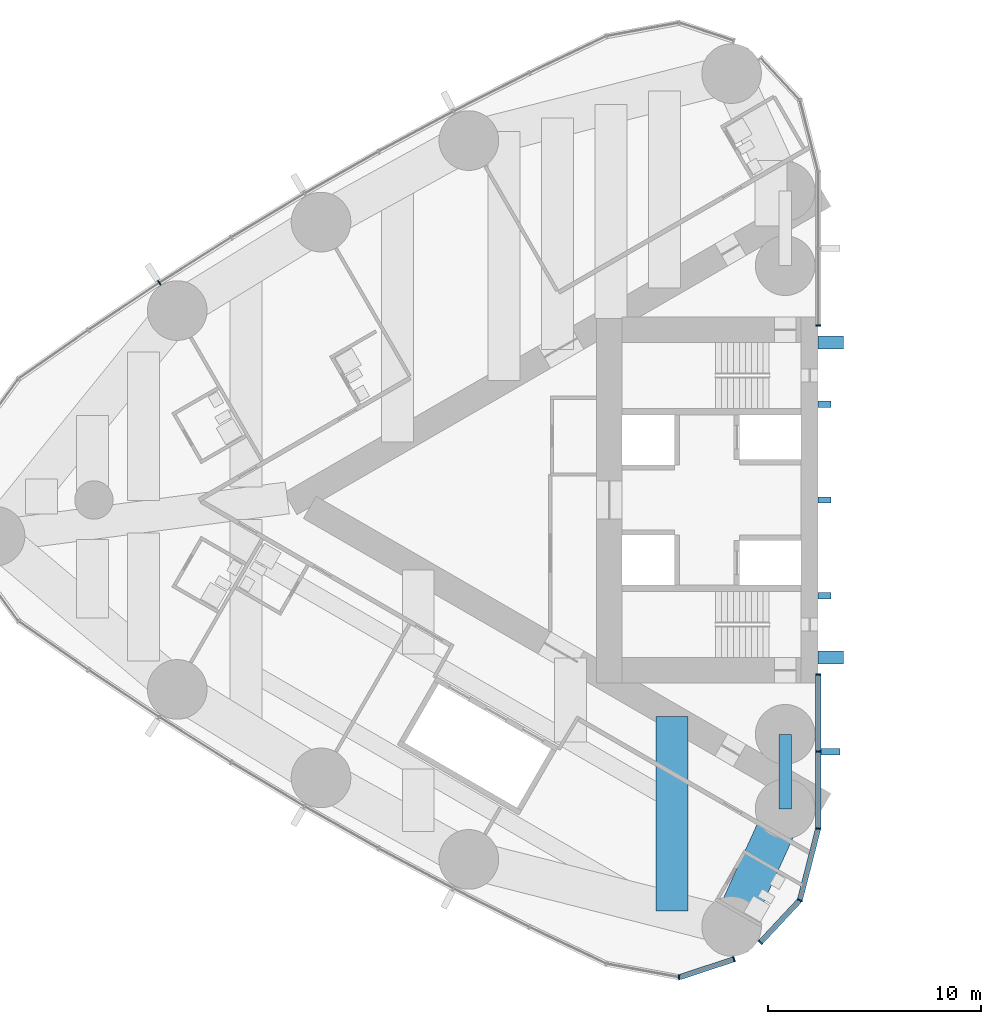
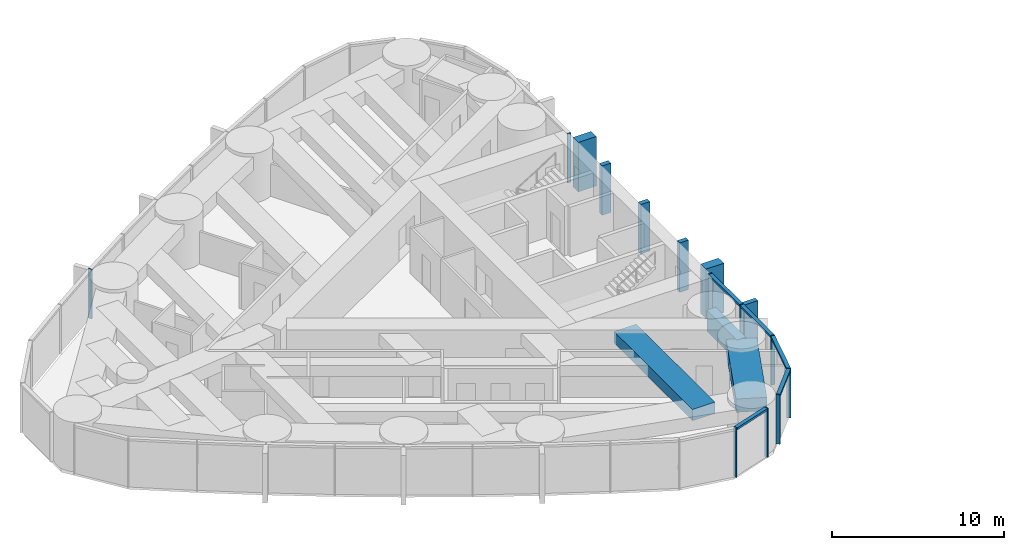
# One storey, part 4 of 18: 20 members, 3 beams, 4 elements without a shape of their own.
"""IFC4 building model written with IfcOpenShell, lengths in metres."""

from ifc_helpers import new_model, si_unit, direction, frame, origin, origin_2d, place, context, subcontext, project, spatial, rectangle, hollow_rectangle, extrude, material, material_profile, profile_set, type_object, element, aggregate, save


model = new_model("IFC4")

# Units and contexts
model_context = context("Model", 3, precision=1e-05, world=origin(), true_north=direction((0.0, 1.0)))
body_context = subcontext(model_context, "Body", "Model", "MODEL_VIEW")
ifc_project = project(units=[si_unit("LENGTHUNIT", "METRE"), si_unit("AREAUNIT", "SQUARE_METRE"), si_unit("VOLUMEUNIT", "CUBIC_METRE"), si_unit("PLANEANGLEUNIT", "RADIAN"), si_unit("MASSUNIT", "GRAM", prefix="KILO")], contexts=[model_context])

# Site, building, storey
site_placement = place(None, origin())
site = spatial("IfcSite", under=ifc_project, at=site_placement, CompositionType="ELEMENT")
building_placement = place(site_placement, origin())
building = spatial("IfcBuilding", under=site, at=building_placement, Name="Lancet Gate Hotel", CompositionType="ELEMENT")
storey_placement = place(building_placement, frame((0.0, 0.0, 180.800048828125)))
storey = spatial("IfcBuildingStorey", under=building, at=storey_placement, Name="L48", CompositionType="ELEMENT", Elevation=180.800048828125)

# Curtain wall, member
ifc_material_1 = material(Name="Aluminium curtain wall", Category="aluminium")
curtain_wall_type = type_object("IfcCurtainWallType", Name="Tower unitised curtain wall", PredefinedType="USERDEFINED", material=ifc_material_1)
curtain_wall_1_placement = place(storey_placement, origin())
curtain_wall_1 = element("IfcCurtainWall", 1, at=curtain_wall_1_placement, inside=storey, type_object=curtain_wall_type, Name="T1 L48 curtain wall 1", ObjectType="UNITISED CURTAIN WALL", PredefinedType="USERDEFINED")
ifc_material_2 = material(Name="Aluminium mullion", Category="aluminium")
ifc_material_profile_1 = material_profile(ifc_material_2, rectangle(XDim=0.06494140625, YDim=0.25, at=origin_2d()), Name="MULLION 65x250")
ifc_profile_set_1 = profile_set([ifc_material_profile_1], Name="Aluminium mullion")
member_type_1 = type_object("IfcMemberType", Name="Aluminium mullion 65x250", PredefinedType="MULLION", material=ifc_profile_set_1)
member_1_placement = place(storey_placement, frame((-27.5, 8.199951171875, 0.0), z_axis=(0.0, 0.0, 1.0), x_axis=(0.0, 1.0, 0.0)))
member_1 = element("IfcMember", 2, at=member_1_placement, type_object=member_type_1, Name="T1 L48 curtain wall 1 mullion 1", PredefinedType="MULLION", context=body_context, shape_type="SweptSolid", body=[
    extrude(rectangle(XDim=0.06494140625, YDim=0.25, at=origin_2d()), origin(), (0.0, 0.0, 1.0), 3.5),
])
aggregate(curtain_wall_1, [member_1])

curtain_wall_2_placement = place(storey_placement, origin())
curtain_wall_2 = element("IfcCurtainWall", 3, at=curtain_wall_2_placement, inside=storey, type_object=curtain_wall_type, Name="T1 L48 curtain wall 2", ObjectType="UNITISED CURTAIN WALL", PredefinedType="USERDEFINED")
member_2_placement = place(storey_placement, frame((-58.43212890625, 10.194091796875, 0.0), z_axis=(0.0, 0.0, 1.0), x_axis=(-0.839331119324, -0.54362052218, 0.0)))
member_2 = element("IfcMember", 4, at=member_2_placement, type_object=member_type_1, Name="T1 L48 curtain wall 2 mullion 9", PredefinedType="MULLION", context=body_context, shape_type="SweptSolid", body=[
    extrude(rectangle(XDim=0.06494140625, YDim=0.25, at=origin_2d()), origin(), (0.0, 0.0, 1.0), 3.5),
])
aggregate(curtain_wall_2, [member_2])

# Curtain wall, members
curtain_wall_3_placement = place(storey_placement, origin())
curtain_wall_3 = element("IfcCurtainWall", 5, at=curtain_wall_3_placement, inside=storey, type_object=curtain_wall_type, Name="T1 L48 curtain wall 3", ObjectType="UNITISED CURTAIN WALL", PredefinedType="USERDEFINED")
member_3_placement = place(storey_placement, frame((-34.02783203125, -22.407470703125, 0.0), z_axis=(0.0, 0.0, 1.0), x_axis=(0.999350473622, 0.036036521361, 0.0)))
member_3 = element("IfcMember", 6, at=member_3_placement, type_object=member_type_1, Name="T1 L48 curtain wall 3 mullion 11", PredefinedType="MULLION", context=body_context, shape_type="SweptSolid", body=[
    extrude(rectangle(XDim=0.06494140625, YDim=0.25, at=origin_2d()), origin(), (0.0, 0.0, 1.0), 3.5),
])
member_4_placement = place(storey_placement, frame((-31.45263671875, -21.5595703125, 0.0), z_axis=(0.0, 0.0, 1.0), x_axis=(0.949848055084, 0.312711803827, 0.0)))
member_4 = element("IfcMember", 7, at=member_4_placement, type_object=member_type_1, Name="T1 L48 curtain wall 3 mullion 12", PredefinedType="MULLION", context=body_context, shape_type="SweptSolid", body=[
    extrude(rectangle(XDim=0.06494140625, YDim=0.25, at=origin_2d()), origin(), (0.0, 0.0, 1.0), 3.5),
])

curtain_wall_4_placement = place(storey_placement, origin())
curtain_wall_4 = element("IfcCurtainWall", 8, at=curtain_wall_4_placement, inside=storey, type_object=curtain_wall_type, Name="T1 L48 curtain wall 4", ObjectType="UNITISED CURTAIN WALL", PredefinedType="USERDEFINED")
member_5_placement = place(storey_placement, frame((-30.210693359375, -20.765625, 0.0), z_axis=(0.0, 0.0, 1.0), x_axis=(0.682844962172, 0.730563315282, 0.0)))
member_5 = element("IfcMember", 9, at=member_5_placement, type_object=member_type_1, Name="T1 L48 curtain wall 4 mullion 1", PredefinedType="MULLION", context=body_context, shape_type="SweptSolid", body=[
    extrude(rectangle(XDim=0.06494140625, YDim=0.25, at=origin_2d()), origin(), (0.0, 0.0, 1.0), 3.5),
])
member_6_placement = place(storey_placement, frame((-28.360595703125, -18.7861328125, 0.0), z_axis=(0.0, 0.0, 1.0), x_axis=(0.452507601198, 0.891760545695, 0.0)))
member_6 = element("IfcMember", 10, at=member_6_placement, type_object=member_type_1, Name="T1 L48 curtain wall 4 mullion 2", PredefinedType="MULLION", context=body_context, shape_type="SweptSolid", body=[
    extrude(rectangle(XDim=0.06494140625, YDim=0.25, at=origin_2d()), origin(), (0.0, 0.0, 1.0), 3.5),
])
member_7_placement = place(storey_placement, frame((-27.5, -15.42333984375, 0.0), z_axis=(0.0, 0.0, 1.0), x_axis=(0.122467472845, 0.992472527627, 0.0)))
member_7 = element("IfcMember", 11, at=member_7_placement, type_object=member_type_1, Name="T1 L48 curtain wall 4 mullion 3", PredefinedType="MULLION", context=body_context, shape_type="SweptSolid", body=[
    extrude(rectangle(XDim=0.06494140625, YDim=0.25, at=origin_2d()), origin(), (0.0, 0.0, 1.0), 3.5),
])
member_8_placement = place(storey_placement, frame((-27.5, -11.811767578125, 0.0), z_axis=(0.0, 0.0, 1.0), x_axis=(0.0, 1.0, 0.0)))
member_8 = element("IfcMember", 12, at=member_8_placement, type_object=member_type_1, Name="T1 L48 curtain wall 4 mullion 4", PredefinedType="MULLION", context=body_context, shape_type="SweptSolid", body=[
    extrude(rectangle(XDim=0.06494140625, YDim=0.25, at=origin_2d()), origin(), (0.0, 0.0, 1.0), 3.5),
])
member_9_placement = place(storey_placement, frame((-27.5, -8.199951171875, 0.0), z_axis=(0.0, 0.0, 1.0), x_axis=(0.0, 1.0, 0.0)))
member_9 = element("IfcMember", 13, at=member_9_placement, type_object=member_type_1, Name="T1 L48 curtain wall 4 mullion 5", PredefinedType="MULLION", context=body_context, shape_type="SweptSolid", body=[
    extrude(rectangle(XDim=0.06494140625, YDim=0.25, at=origin_2d()), origin(), (0.0, 0.0, 1.0), 3.5),
])

# Member
ifc_material_3 = material(Name="Aluminium transom", Category="aluminium")
ifc_material_profile_2 = material_profile(ifc_material_3, rectangle(XDim=0.25, YDim=0.14990234375, at=origin_2d()), Name="TRANSOM 250x150")
ifc_profile_set_2 = profile_set([ifc_material_profile_2], Name="Aluminium transom")
member_type_2 = type_object("IfcMemberType", Name="Aluminium transom 250x150", PredefinedType="USERDEFINED", material=ifc_profile_set_2)
member_10_placement = place(storey_placement, frame((-33.9970703125, -22.397216796875, 3.425048828125), z_axis=(0.949857661259, 0.312682623993, 0.0), x_axis=(-0.312682623993, 0.949857661259, 0.0)))
member_10 = element("IfcMember", 14, at=member_10_placement, type_object=member_type_2, Name="T1 L48 curtain wall 3 transom 11", ObjectType="TRANSOM", PredefinedType="USERDEFINED", context=body_context, shape_type="SweptSolid", body=[
    extrude(rectangle(XDim=0.25, YDim=0.14990234375, at=origin_2d()), origin(), (0.0, 0.0, 1.0), 2.64599609375),
])

aggregate(curtain_wall_3, [member_3, member_4, member_10])

member_11_placement = place(storey_placement, frame((-30.188720703125, -20.741943359375, 3.425048828125), z_axis=(0.682841037959, 0.730566983157, 0.0), x_axis=(-0.730566983157, 0.682841037959, 0.0)))
member_11 = element("IfcMember", 15, at=member_11_placement, type_object=member_type_2, Name="T1 L48 curtain wall 4 transom 1", ObjectType="TRANSOM", PredefinedType="USERDEFINED", context=body_context, shape_type="SweptSolid", body=[
    extrude(rectangle(XDim=0.25, YDim=0.14990234375, at=origin_2d()), origin(), (0.0, 0.0, 1.0), 2.644775390625),
])

member_12_placement = place(storey_placement, frame((-28.3525390625, -18.754638671875, 3.425048828125), z_axis=(0.247928683912, 0.968778286139, 0.0), x_axis=(-0.968778286139, 0.247928683912, 0.0)))
member_12 = element("IfcMember", 16, at=member_12_placement, type_object=member_type_2, Name="T1 L48 curtain wall 4 transom 2", ObjectType="TRANSOM", PredefinedType="USERDEFINED", context=body_context, shape_type="SweptSolid", body=[
    extrude(rectangle(XDim=0.25, YDim=0.14990234375, at=origin_2d()), origin(), (0.0, 0.0, 1.0), 3.40625),
])

member_13_placement = place(storey_placement, frame((-27.5, -15.390869140625, 3.425048828125), z_axis=(0.0, 1.0, 0.0), x_axis=(-1.0, 0.0, 0.0)))
member_13 = element("IfcMember", 17, at=member_13_placement, type_object=member_type_2, Name="T1 L48 curtain wall 4 transom 3", ObjectType="TRANSOM", PredefinedType="USERDEFINED", context=body_context, shape_type="SweptSolid", body=[
    extrude(rectangle(XDim=0.25, YDim=0.14990234375, at=origin_2d()), origin(), (0.0, 0.0, 1.0), 3.546630859375),
])

member_14_placement = place(storey_placement, frame((-27.5, -11.779296875, 3.425048828125), z_axis=(0.0, 1.0, 0.0), x_axis=(-1.0, 0.0, 0.0)))
member_14 = element("IfcMember", 18, at=member_14_placement, type_object=member_type_2, Name="T1 L48 curtain wall 4 transom 4", ObjectType="TRANSOM", PredefinedType="USERDEFINED", context=body_context, shape_type="SweptSolid", body=[
    extrude(rectangle(XDim=0.25, YDim=0.14990234375, at=origin_2d()), origin(), (0.0, 0.0, 1.0), 3.546875),
])

# Beam
ifc_material_4 = material(Name="Concrete C50/60", Category="concrete")
ifc_material_profile_3 = material_profile(ifc_material_4, rectangle(XDim=1.800048828125, YDim=0.949951171875, at=origin_2d()), Name="RC 1800x950")
ifc_profile_set_3 = profile_set([ifc_material_profile_3], Name="Concrete C50/60")
beam_type_1 = type_object("IfcBeamType", Name="Edge beam RC 1800x950", PredefinedType="SPANDREL", material=ifc_profile_set_3)
beam_1_placement = place(storey_placement, frame((-29.050048828125, -14.5, 2.77490234375), z_axis=(-0.414919206993, -0.909858259109, 0.0), x_axis=(0.909858259109, -0.414919206993, 0.0)))
element("IfcBeam", 19, at=beam_1_placement, inside=storey, type_object=beam_type_1, Name="T1 edge beam EB1 L48", PredefinedType="SPANDREL", context=body_context, shape_type="SweptSolid", body=[
    extrude(rectangle(XDim=1.800048828125, YDim=0.949951171875, at=origin_2d()), origin(), (0.0, 0.0, 1.0), 6.062255859375),
])

# Members
ifc_material_5 = material(Name="Concrete C60/75", Category="concrete")
ifc_material_profile_4 = material_profile(ifc_material_5, rectangle(XDim=0.60009765625, YDim=1.199951171875, at=origin_2d()), Name="FIN 600x1200")
ifc_profile_set_4 = profile_set([ifc_material_profile_4], Name="Concrete C60/75")
member_type_3 = type_object("IfcMemberType", Name="Exposed concrete buttress pilaster 600x1200", PredefinedType="USERDEFINED", material=ifc_profile_set_4)
for number, where, z_axis, x_axis, name in (
    (20, (-26.909912109375, 7.39990234375, 0.0), (0.0, 0.0, 1.0), (0.0, 1.0, 0.0), "T1 buttress pilaster S L48"),
    (21, (-26.909912109375, -7.39990234375, 0.0), (0.0, 0.0, 1.0), (0.0, 1.0, 0.0), "T1 buttress pilaster N L48"),
):
    element("IfcMember", number, at=place(storey_placement, frame(where, z_axis=z_axis, x_axis=x_axis)), inside=storey, type_object=member_type_3, Name=name, ObjectType="FIN", PredefinedType="USERDEFINED", context=body_context, shape_type="SweptSolid", body=[
        extrude(rectangle(XDim=0.60009765625, YDim=1.199951171875, at=origin_2d()), origin(), (0.0, 0.0, 1.0), 3.5),
    ])

# Member
ifc_material_6 = material(Name="Precast concrete C50/60", Category="concrete")
ifc_material_profile_5 = material_profile(ifc_material_6, rectangle(XDim=0.300048828125, YDim=0.89990234375, at=origin_2d()), Name="FIN 300x900")
ifc_profile_set_5 = profile_set([ifc_material_profile_5], Name="Precast concrete C50/60")
member_type_4 = type_object("IfcMemberType", Name="Exposed concrete fin 300x900", PredefinedType="USERDEFINED", material=ifc_profile_set_5)
member_15_placement = place(storey_placement, frame((-26.925048828125, -11.811767578125, 0.0), z_axis=(0.0, 0.0, 1.0), x_axis=(0.0, 1.0, 0.0)))
member_15 = element("IfcMember", 22, at=member_15_placement, type_object=member_type_4, Name="T1 L48 curtain wall 4 fin 4", ObjectType="FIN", PredefinedType="USERDEFINED", context=body_context, shape_type="SweptSolid", body=[
    extrude(rectangle(XDim=0.300048828125, YDim=0.89990234375, at=origin_2d()), origin(), (0.0, 0.0, 1.0), 3.5),
])

aggregate(curtain_wall_4, [member_5, member_6, member_7, member_8, member_15, member_9, member_11, member_12, member_13, member_14])

# Members
ifc_material_7 = material(Name="Concrete C60/75", Category="concrete")
ifc_material_profile_6 = material_profile(ifc_material_7, rectangle(XDim=0.300048828125, YDim=0.60009765625, at=origin_2d()), Name="FIN 300x600")
ifc_profile_set_6 = profile_set([ifc_material_profile_6], Name="Concrete C60/75")
member_type_5 = type_object("IfcMemberType", Name="Exposed concrete rib 300x600", PredefinedType="USERDEFINED", material=ifc_profile_set_6)
for number, where, z_axis, x_axis, name in (
    (23, (-27.2099609375, 4.5, 0.0), (0.0, 0.0, 1.0), (0.0, 1.0, 0.0), "T1 core rib 1 L48"),
    (24, (-27.2099609375, 0.0, 0.0), (0.0, 0.0, 1.0), (0.0, 1.0, 0.0), "T1 core rib 2 L48"),
    (25, (-27.2099609375, -4.5, 0.0), (0.0, 0.0, 1.0), (0.0, 1.0, 0.0), "T1 core rib 3 L48"),
):
    element("IfcMember", number, at=place(storey_placement, frame(where, z_axis=z_axis, x_axis=x_axis)), inside=storey, type_object=member_type_5, Name=name, ObjectType="FIN", PredefinedType="USERDEFINED", context=body_context, shape_type="SweptSolid", body=[
        extrude(rectangle(XDim=0.300048828125, YDim=0.60009765625, at=origin_2d()), origin(), (0.0, 0.0, 1.0), 3.5),
    ])

# Beams
ifc_material_8 = material(Name="Concrete C50/60", Category="concrete")
ifc_material_profile_7 = material_profile(ifc_material_8, rectangle(XDim=1.5, YDim=0.800048828125, at=origin_2d()), Name="RC 1500x800")
ifc_profile_set_7 = profile_set([ifc_material_profile_7], Name="Concrete C50/60")
beam_type_2 = type_object("IfcBeamType", Name="Floor beam RC 1500x800", PredefinedType="BEAM", material=ifc_profile_set_7)
beam_2_placement = place(storey_placement, frame((-34.353515625, -10.169921875, 2.849853515625), z_axis=(0.0, -1.0, 0.0), x_axis=(1.0, 0.0, 0.0)))
element("IfcBeam", 26, at=beam_2_placement, inside=storey, type_object=beam_type_2, Name="T1 floor beam F02N L48", PredefinedType="BEAM", context=body_context, shape_type="SweptSolid", body=[
    extrude(rectangle(XDim=1.5, YDim=0.800048828125, at=origin_2d()), origin(), (0.0, 0.0, 1.0), 9.13525390625),
])
ifc_material_9 = material(Name="Steel S460QL", Category="steel")
ifc_material_profile_8 = material_profile(ifc_material_9, hollow_rectangle(XDim=0.60009765625, YDim=1.5, WallThickness=0.050048828125, at=origin_2d()), Name="BOX 1500x600x50")
ifc_profile_set_8 = profile_set([ifc_material_profile_8], Name="Steel S460QL")
beam_type_3 = type_object("IfcBeamType", Name="Inner-face link beam BOX 1500x600x50", PredefinedType="BEAM", material=ifc_profile_set_8)
beam_3_placement = place(storey_placement, frame((-29.050048828125, -11.0, 2.5), z_axis=(0.0, -1.0, 0.0), x_axis=(1.0, 0.0, 0.0)))
element("IfcBeam", 27, at=beam_3_placement, inside=storey, type_object=beam_type_3, Name="T1 inner-face link beam LK1 L48", PredefinedType="BEAM", context=body_context, shape_type="SweptSolid", body=[
    extrude(hollow_rectangle(XDim=0.60009765625, YDim=1.5, WallThickness=0.050048828125, at=origin_2d()), origin(), (0.0, 0.0, 1.0), 3.5),
])

save(model, "model.ifc")
